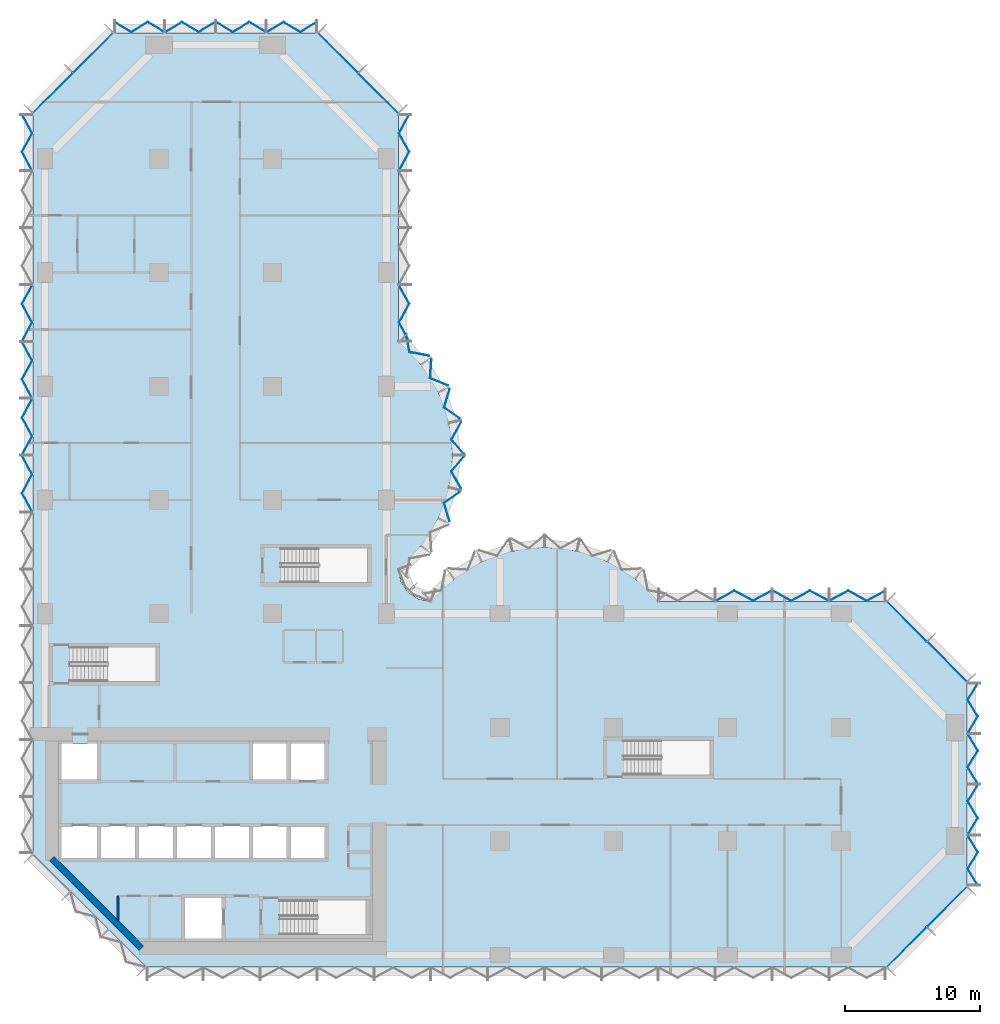
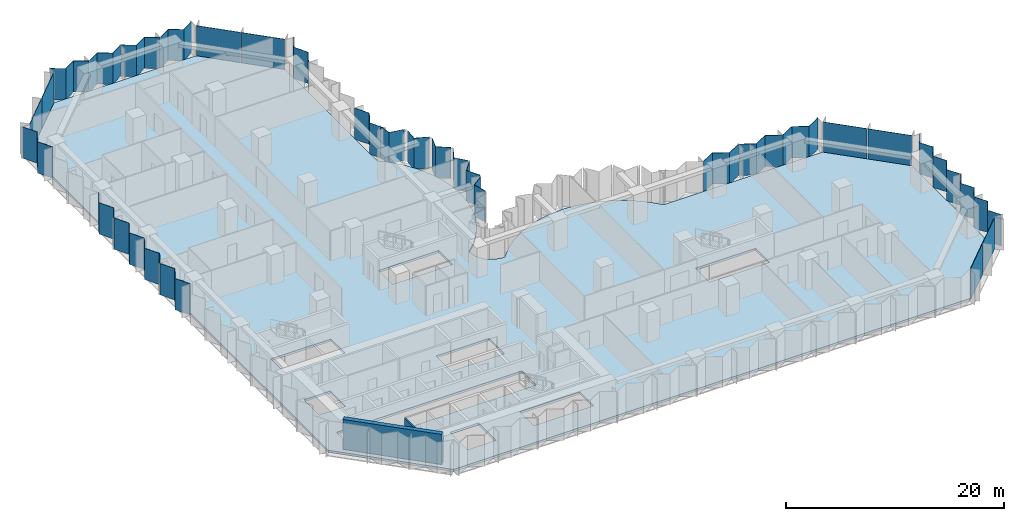
# One storey, part 6 of 15: 32 plates, 2 walls, 1 slab, 10 elements without a shape of their own.
"""IFC4 building model written with IfcOpenShell, lengths in metres."""

import ifcopenshell
import ifcopenshell.guid

model = None  # the IFC model being written
_history = None  # IfcOwnerHistory: only IFC2X3 demands one
_inside = {}  # id of a spatial element -> (the spatial element, [elements in it])
_under = {}  # id of a project, library or spatial element -> (it, [spatial elements below it])
_declared = {}  # id of a project -> (the project, [libraries it declares])
_typed = {}  # id of a type object -> (the type object, [elements of that type])
_made_of = {}  # id of a material, layer set ... -> (it, [elements and type objects made of it])


def new_model(schema):
    """Start an empty IFC model of exactly this schema.

    Asked for "IFC4X3", IfcOpenShell would pick the latest addendum, in which some entities
    have other attributes; the version numbers below select the first issue.
    IFC2X3 requires an IfcOwnerHistory on every rooted entity: one is made here for all.
    """
    global model, _history
    if schema == "IFC4X3":
        model = ifcopenshell.file(schema_version=(4, 3, 0, 0))
    else:
        model = ifcopenshell.file(schema=schema)
    _inside.clear()
    _under.clear()
    _declared.clear()
    _typed.clear()
    _made_of.clear()
    _history = None
    if model.schema == "IFC2X3":
        org = make("IfcOrganization", Name="unknown")
        user = make(
            "IfcPersonAndOrganization",
            ThePerson=make("IfcPerson", FamilyName="unknown"),
            TheOrganization=org,
        )
        app = make(
            "IfcApplication",
            ApplicationDeveloper=org,
            Version="unknown",
            ApplicationFullName="unknown",
            ApplicationIdentifier="unknown",
        )
        _history = make(
            "IfcOwnerHistory",
            OwningUser=user,
            OwningApplication=app,
            ChangeAction="ADDED",
            CreationDate=0,
        )
    return model


def make(cls, **values):
    """One entity of the class cls with the attributes given. An attribute that is None is left unset."""
    return model.create_entity(
        cls, **{name: value for name, value in values.items() if value is not None}
    )


def rooted(cls, **values):
    """An entity with a GlobalId (a new one), such as an element, a storey or a relation."""
    return make(cls, GlobalId=ifcopenshell.guid.new(), OwnerHistory=_history, **values)


def si_unit(unit_type, name, prefix=None):
    """IfcSIUnit, for example si_unit("LENGTHUNIT", "METRE", prefix="MILLI")."""
    return make("IfcSIUnit", UnitType=unit_type, Prefix=prefix, Name=name)


def assignment(units):
    """IfcUnitAssignment: the units of a project."""
    return None if units is None else make("IfcUnitAssignment", Units=units)


def point(xyz):
    """IfcCartesianPoint."""
    return None if xyz is None else make("IfcCartesianPoint", Coordinates=xyz)


def direction(xyz):
    """IfcDirection."""
    return None if xyz is None else make("IfcDirection", DirectionRatios=xyz)


def frame(location, z_axis=None, x_axis=None):
    """IfcAxis2Placement3D, a coordinate frame: its origin and axes. An axis left out is left unset."""
    return make(
        "IfcAxis2Placement3D",
        Location=point(location),
        Axis=direction(z_axis),
        RefDirection=direction(x_axis),
    )


def frame_2d(location, x_axis=None):
    """IfcAxis2Placement2D, a coordinate frame in the plane: its origin and x axis."""
    return make(
        "IfcAxis2Placement2D", Location=point(location), RefDirection=direction(x_axis)
    )


def origin():
    """The frame at (0, 0, 0) with its axes left unset."""
    return frame((0.0, 0.0, 0.0))


def place(relative_to, where):
    """IfcLocalPlacement: puts the frame where relative to a parent placement (None: the world)."""
    return make(
        "IfcLocalPlacement", PlacementRelTo=relative_to, RelativePlacement=where
    )


def context(
    kind, dimensions, precision=None, world=None, true_north=None, identifier=None
):
    """IfcGeometricRepresentationContext, for example the 3D "Model" context."""
    return make(
        "IfcGeometricRepresentationContext",
        ContextIdentifier=identifier,
        ContextType=kind,
        CoordinateSpaceDimension=dimensions,
        Precision=precision,
        WorldCoordinateSystem=world,
        TrueNorth=true_north,
    )


def subcontext(parent, identifier, kind, view, scale=None):
    """IfcGeometricRepresentationSubContext, for example "Body" below "Model"."""
    return make(
        "IfcGeometricRepresentationSubContext",
        ContextIdentifier=identifier,
        ContextType=kind,
        ParentContext=parent,
        TargetScale=scale,
        TargetView=view,
    )


def project(units=None, contexts=None):
    """IfcProject with its units and contexts."""
    return rooted(
        "IfcProject",
        Name="project",
        RepresentationContexts=contexts,
        UnitsInContext=assignment(units),
    )


def spatial(cls, under=None, at=None, **own):
    """A site, building, storey or space (cls), placed at a placement, below another one or the project."""
    s = rooted(cls, ObjectPlacement=at, **own)
    if under is not None:
        _under.setdefault(under.id(), (under, []))[1].append(s)
    return s


def polyline(points):
    """IfcPolyline through the points."""
    return make("IfcPolyline", Points=[point(p) for p in points])


def profile(cls, at=None, kind="AREA", **sizes):
    """A parametric profile (cls). Its sizes go by their IFC names, for example OverallWidth=200.0."""
    return make(cls, ProfileType=kind, Position=at, **sizes)


def rectangle(**sizes):
    """IfcRectangleProfileDef."""
    return profile("IfcRectangleProfileDef", **sizes)


def outline(outer, holes=None, kind="AREA"):
    """IfcArbitraryClosedProfileDef: a profile drawn as a closed curve; with holes, ...WithVoids."""
    if holes is None:
        return make("IfcArbitraryClosedProfileDef", ProfileType=kind, OuterCurve=outer)
    return make(
        "IfcArbitraryProfileDefWithVoids",
        ProfileType=kind,
        OuterCurve=outer,
        InnerCurves=holes,
    )


def extrude(swept, where, along, depth):
    """IfcExtrudedAreaSolid: the profile swept, set in the frame where, extruded along a direction by depth."""
    return make(
        "IfcExtrudedAreaSolid",
        SweptArea=swept,
        Position=where,
        ExtrudedDirection=direction(along),
        Depth=depth,
    )


def shape(context_of_items, identifier, shape_type, items):
    """IfcShapeRepresentation: the items that make up one representation, for example the "Body"."""
    return make(
        "IfcShapeRepresentation",
        ContextOfItems=context_of_items,
        RepresentationIdentifier=identifier,
        RepresentationType=shape_type,
        Items=items,
    )


def material(Name=None, Category=None):
    """IfcMaterial."""
    return make("IfcMaterial", Name=Name, Category=Category)


def layer(
    of_material, thickness, ventilated=None, Name=None, Category=None, Priority=None
):
    """IfcMaterialLayer: one layer of a wall or slab, of a material (None: an air gap)."""
    return make(
        "IfcMaterialLayer",
        Material=of_material,
        LayerThickness=thickness,
        IsVentilated=ventilated,
        Name=Name,
        Category=Category,
        Priority=Priority,
    )


def layer_set(layers, Name=None):
    """IfcMaterialLayerSet."""
    return make("IfcMaterialLayerSet", MaterialLayers=layers, LayerSetName=Name)


def made_of(thing, what):
    """Note that an element or type object is made of a material, layer set ...; save() writes the relation."""
    if what is not None:
        _made_of.setdefault(what.id(), (what, []))[1].append(thing)
    return thing


def type_object(cls, material=None, **own):
    """A type object (cls), such as IfcWallType, which elements share."""
    return made_of(rooted(cls, **own), material)


def element(
    cls,
    number,
    at=None,
    inside=None,
    cuts=None,
    type_object=None,
    material=None,
    context=None,
    identifier="Body",
    shape_type=None,
    held_by="IfcProductDefinitionShape",
    body=None,
    shapes=None,
    **own,
):
    """One element of the class cls, such as IfcWall. Its Tag is "e" and its number.

    at: its placement. inside: the storey or other place that contains it. cuts: it is an
    opening in that element (IfcRelVoidsElement). A single representation is given by context,
    identifier, shape_type and body (its items); several are given by shapes. held_by: the class
    of the entity that holds the representations. save() writes the other relations.
    """
    e = rooted(cls, Tag="e%d" % number, ObjectPlacement=at, **own)
    if body is not None:
        shapes = [shape(context, identifier, shape_type, body)]
    if shapes is not None:
        e.Representation = make(held_by, Representations=shapes)
    if inside is not None:
        _inside.setdefault(inside.id(), (inside, []))[1].append(e)
    if cuts is not None:
        rooted(
            "IfcRelVoidsElement", RelatingBuildingElement=cuts, RelatedOpeningElement=e
        )
    if type_object is not None:
        _typed.setdefault(type_object.id(), (type_object, []))[1].append(e)
    return made_of(e, material)


def aggregate(whole, parts):
    """IfcRelAggregates: a whole, such as a stair, and the parts it consists of."""
    return rooted("IfcRelAggregates", RelatingObject=whole, RelatedObjects=parts)


def save(model, path):
    """Write the relations noted so far, then the file.

    IfcRelAggregates (storeys below a building ...), IfcRelContainedInSpatialStructure (elements
    in a storey), IfcRelDefinesByType, IfcRelAssociatesMaterial and IfcRelDeclares: one each for
    every whole, place, type object, material and project.
    """
    for whole, parts in _under.values():
        aggregate(whole, parts)
    for where, things in _inside.values():
        rooted(
            "IfcRelContainedInSpatialStructure",
            RelatedElements=things,
            RelatingStructure=where,
        )
    for kind, things in _typed.values():
        rooted("IfcRelDefinesByType", RelatedObjects=things, RelatingType=kind)
    for what, things in _made_of.values():
        rooted("IfcRelAssociatesMaterial", RelatedObjects=things, RelatingMaterial=what)
    for by, libraries in _declared.values():
        rooted("IfcRelDeclares", RelatingContext=by, RelatedDefinitions=libraries)
    model.write(path)


model = new_model("IFC4")

# Units and contexts
model_context = context("Model", 3, precision=1e-05, world=origin(), true_north=direction((0.0, 1.0)))
body_context = subcontext(model_context, "Body", "Model", "MODEL_VIEW")
ifc_project = project(units=[si_unit("LENGTHUNIT", "METRE"), si_unit("AREAUNIT", "SQUARE_METRE"), si_unit("VOLUMEUNIT", "CUBIC_METRE"), si_unit("PLANEANGLEUNIT", "RADIAN"), si_unit("MASSUNIT", "GRAM", prefix="KILO")], contexts=[model_context])

# Site, building, storey
site_placement = place(None, origin())
site = spatial("IfcSite", under=ifc_project, at=site_placement, CompositionType="ELEMENT")
building_placement = place(site_placement, origin())
building = spatial("IfcBuilding", under=site, at=building_placement, Name="Brevane Broadcast Tower", CompositionType="ELEMENT")
storey_placement = place(building_placement, frame((0.0, 0.0, 79.699951171875)))
storey = spatial("IfcBuildingStorey", under=building, at=storey_placement, Name="L18", CompositionType="ELEMENT", Elevation=79.699951171875)

# Curtain wall, plates
ifc_material_1 = material(Name="Aluminium 6063-T6 bronze anodised", Category="aluminium")
curtain_wall_type = type_object("IfcCurtainWallType", Name="CW-1 curtain wall", PredefinedType="NOTDEFINED", material=ifc_material_1)
curtain_wall_1_placement = place(storey_placement, origin())
curtain_wall_1 = element("IfcCurtainWall", 1, at=curtain_wall_1_placement, inside=storey, type_object=curtain_wall_type, Name="CW-1 typical tilted unit L18 south-east chamfer", PredefinedType="NOTDEFINED")
ifc_material_2 = material(Name="Laminated glass bronze-tinted", Category="glass")
ifc_layer_1 = layer(ifc_material_2, 0.0400390625)
ifc_layer_set_1 = layer_set([ifc_layer_1], Name="CW tall glass panel 40")
plate_type = type_object("IfcPlateType", Name="CW tall glass panel 40", PredefinedType="CURTAIN_PANEL", material=ifc_layer_set_1)
plate_1_placement = place(storey_placement, frame((0.0, 0.0, -0.14990234375)))
plate_1 = element("IfcPlate", 2, at=plate_1_placement, type_object=plate_type, Name="CW-1 glass panel", PredefinedType="CURTAIN_PANEL", context=body_context, shape_type="SweptSolid", body=[
    extrude(outline(polyline([(62.14599609375, -0.896484375), (65.096435546875, 2.053955078125), (65.124755859375, 2.02587890625), (62.17431640625, -0.9248046875), (62.14599609375, -0.896484375)])), origin(), (0.0, 0.0, 1.0), 3.5),
])
plate_2_placement = place(storey_placement, frame((0.0, 0.0, -0.14990234375)))
plate_2 = element("IfcPlate", 3, at=plate_2_placement, type_object=plate_type, Name="CW-1 glass panel", PredefinedType="CURTAIN_PANEL", context=body_context, shape_type="SweptSolid", body=[
    extrude(outline(polyline([(65.14599609375, 2.103515625), (68.096435546875, 5.053955078125), (68.124755859375, 5.02587890625), (65.17431640625, 2.0751953125), (65.14599609375, 2.103515625)])), origin(), (0.0, 0.0, 1.0), 3.5),
])
aggregate(curtain_wall_1, [plate_1, plate_2])

curtain_wall_2_placement = place(storey_placement, origin())
curtain_wall_2 = element("IfcCurtainWall", 4, at=curtain_wall_2_placement, inside=storey, type_object=curtain_wall_type, Name="CW-1 typical tilted unit L18 east end", PredefinedType="NOTDEFINED")
plate_3_placement = place(storey_placement, frame((0.0, 0.0, -0.14990234375)))
plate_3 = element("IfcPlate", 5, at=plate_3_placement, type_object=plate_type, Name="CW-1 glass panel", PredefinedType="CURTAIN_PANEL", context=body_context, shape_type="SweptSolid", body=[
    extrude(outline(polyline([(68.87109375, 5.135009765625), (68.917724609375, 5.135009765625), (68.17333984375, 6.36181640625), (68.917724609375, 7.58837890625), (68.17333984375, 8.81494140625), (68.126708984375, 8.81494140625), (68.87109375, 7.58837890625), (68.126708984375, 6.36181640625), (68.87109375, 5.135009765625)])), origin(), (0.0, 0.0, 1.0), 3.5),
])
plate_4_placement = place(storey_placement, frame((0.0, 0.0, -0.14990234375)))
plate_4 = element("IfcPlate", 6, at=plate_4_placement, type_object=plate_type, Name="CW-1 glass panel", PredefinedType="CURTAIN_PANEL", context=body_context, shape_type="SweptSolid", body=[
    extrude(outline(polyline([(68.126708984375, 8.885009765625), (68.17333984375, 8.885009765625), (68.917724609375, 10.11181640625), (68.17333984375, 11.33837890625), (68.917724609375, 12.56494140625), (68.87109375, 12.56494140625), (68.126708984375, 11.33837890625), (68.87109375, 10.11181640625), (68.126708984375, 8.885009765625)])), origin(), (0.0, 0.0, 1.0), 3.5),
])
plate_5_placement = place(storey_placement, frame((0.0, 0.0, -0.14990234375)))
plate_5 = element("IfcPlate", 7, at=plate_5_placement, type_object=plate_type, Name="CW-1 glass panel", PredefinedType="CURTAIN_PANEL", context=body_context, shape_type="SweptSolid", body=[
    extrude(outline(polyline([(68.87109375, 12.635009765625), (68.917724609375, 12.635009765625), (68.17333984375, 13.86181640625), (68.917724609375, 15.08837890625), (68.17333984375, 16.31494140625), (68.126708984375, 16.31494140625), (68.87109375, 15.08837890625), (68.126708984375, 13.86181640625), (68.87109375, 12.635009765625)])), origin(), (0.0, 0.0, 1.0), 3.5),
])
plate_6_placement = place(storey_placement, frame((0.0, 0.0, -0.14990234375)))
plate_6 = element("IfcPlate", 8, at=plate_6_placement, type_object=plate_type, Name="CW-1 glass panel", PredefinedType="CURTAIN_PANEL", context=body_context, shape_type="SweptSolid", body=[
    extrude(outline(polyline([(68.126708984375, 16.385009765625), (68.17333984375, 16.385009765625), (68.917724609375, 17.61181640625), (68.17333984375, 18.83837890625), (68.917724609375, 20.06494140625), (68.87109375, 20.06494140625), (68.126708984375, 18.83837890625), (68.87109375, 17.61181640625), (68.126708984375, 16.385009765625)])), origin(), (0.0, 0.0, 1.0), 3.5),
])
aggregate(curtain_wall_2, [plate_3, plate_4, plate_5, plate_6])

curtain_wall_3_placement = place(storey_placement, origin())
curtain_wall_3 = element("IfcCurtainWall", 9, at=curtain_wall_3_placement, inside=storey, type_object=curtain_wall_type, Name="CW-1 typical tilted unit L18 north-east chamfer", PredefinedType="NOTDEFINED")
plate_7_placement = place(storey_placement, frame((0.0, 0.0, -0.14990234375)))
plate_7 = element("IfcPlate", 10, at=plate_7_placement, type_object=plate_type, Name="CW-1 glass panel", PredefinedType="CURTAIN_PANEL", context=body_context, shape_type="SweptSolid", body=[
    extrude(outline(polyline([(68.096435546875, 20.14599609375), (65.14599609375, 23.096435546875), (65.17431640625, 23.124755859375), (68.124755859375, 20.17431640625), (68.096435546875, 20.14599609375)])), origin(), (0.0, 0.0, 1.0), 3.5),
])
plate_8_placement = place(storey_placement, frame((0.0, 0.0, -0.14990234375)))
plate_8 = element("IfcPlate", 11, at=plate_8_placement, type_object=plate_type, Name="CW-1 glass panel", PredefinedType="CURTAIN_PANEL", context=body_context, shape_type="SweptSolid", body=[
    extrude(outline(polyline([(65.096435546875, 23.14599609375), (62.14599609375, 26.096435546875), (62.17431640625, 26.124755859375), (65.124755859375, 23.17431640625), (65.096435546875, 23.14599609375)])), origin(), (0.0, 0.0, 1.0), 3.5),
])
aggregate(curtain_wall_3, [plate_7, plate_8])

curtain_wall_4_placement = place(storey_placement, origin())
curtain_wall_4 = element("IfcCurtainWall", 12, at=curtain_wall_4_placement, inside=storey, type_object=curtain_wall_type, Name="CW-1 typical tilted unit L18 east arm north face", PredefinedType="NOTDEFINED")
plate_9_placement = place(storey_placement, frame((0.0, 0.0, -0.14990234375)))
plate_9 = element("IfcPlate", 13, at=plate_9_placement, type_object=plate_type, Name="CW-1 glass panel", PredefinedType="CURTAIN_PANEL", context=body_context, shape_type="SweptSolid", body=[
    extrude(outline(polyline([(62.06494140625, 26.87158203125), (62.06494140625, 26.9169921875), (60.688232421875, 26.172607421875), (59.311767578125, 26.9169921875), (57.93505859375, 26.172607421875), (57.93505859375, 26.127197265625), (59.311767578125, 26.87158203125), (60.688232421875, 26.127197265625), (62.06494140625, 26.87158203125)])), origin(), (0.0, 0.0, 1.0), 3.5),
])
plate_10_placement = place(storey_placement, frame((0.0, 0.0, -0.14990234375)))
plate_10 = element("IfcPlate", 14, at=plate_10_placement, type_object=plate_type, Name="CW-1 glass panel", PredefinedType="CURTAIN_PANEL", context=body_context, shape_type="SweptSolid", body=[
    extrude(outline(polyline([(57.864990234375, 26.127197265625), (57.864990234375, 26.172607421875), (56.48828125, 26.9169921875), (55.11181640625, 26.172607421875), (53.735107421875, 26.9169921875), (53.735107421875, 26.87158203125), (55.11181640625, 26.127197265625), (56.48828125, 26.87158203125), (57.864990234375, 26.127197265625)])), origin(), (0.0, 0.0, 1.0), 3.5),
])
plate_11_placement = place(storey_placement, frame((0.0, 0.0, -0.14990234375)))
plate_11 = element("IfcPlate", 15, at=plate_11_placement, type_object=plate_type, Name="CW-1 glass panel", PredefinedType="CURTAIN_PANEL", context=body_context, shape_type="SweptSolid", body=[
    extrude(outline(polyline([(53.6650390625, 26.87158203125), (53.6650390625, 26.9169921875), (52.288330078125, 26.172607421875), (50.91162109375, 26.9169921875), (49.534912109375, 26.172607421875), (49.534912109375, 26.127197265625), (50.91162109375, 26.87158203125), (52.288330078125, 26.127197265625), (53.6650390625, 26.87158203125)])), origin(), (0.0, 0.0, 1.0), 3.5),
])
aggregate(curtain_wall_4, [plate_9, plate_10, plate_11])

curtain_wall_5_placement = place(storey_placement, origin())
curtain_wall_5 = element("IfcCurtainWall", 16, at=curtain_wall_5_placement, inside=storey, type_object=curtain_wall_type, Name="CW-1 typical tilted unit L18 north bow", PredefinedType="NOTDEFINED")
plate_12_placement = place(storey_placement, frame((0.0, 0.0, -0.14990234375)))
plate_12 = element("IfcPlate", 17, at=plate_12_placement, type_object=plate_type, Name="CW-1 glass panel", PredefinedType="CURTAIN_PANEL", context=body_context, shape_type="SweptSolid", body=[
    extrude(outline(polyline([(29.851806640625, 32.044677734375), (29.900634765625, 32.021484375), (29.494384765625, 33.364501953125), (30.622802734375, 34.167236328125), (30.57080078125, 34.17919921875), (29.44775390625, 33.380615234375), (29.851806640625, 32.044677734375)])), origin(), (0.0, 0.0, 1.0), 3.5),
])
plate_13_placement = place(storey_placement, frame((0.0, 0.0, -0.14990234375)))
plate_13 = element("IfcPlate", 18, at=plate_13_placement, type_object=plate_type, Name="CW-1 glass panel", PredefinedType="CURTAIN_PANEL", context=body_context, shape_type="SweptSolid", body=[
    extrude(outline(polyline([(30.68798828125, 34.483642578125), (30.740478515625, 34.4716796875), (30.036376953125, 35.730224609375), (30.94921875, 36.7919921875), (30.896484375, 36.7919921875), (29.98779296875, 35.735107421875), (30.68798828125, 34.483642578125)])), origin(), (0.0, 0.0, 1.0), 3.5),
])
plate_14_placement = place(storey_placement, frame((0.0, 0.0, -0.14990234375)))
plate_14 = element("IfcPlate", 19, at=plate_14_placement, type_object=plate_type, Name="CW-1 glass panel", PredefinedType="CURTAIN_PANEL", context=body_context, shape_type="SweptSolid", body=[
    extrude(outline(polyline([(30.896484375, 37.008056640625), (30.94921875, 37.008056640625), (30.036376953125, 38.069580078125), (30.740478515625, 39.328369140625), (30.68798828125, 39.31640625), (29.98779296875, 38.064697265625), (30.896484375, 37.008056640625)])), origin(), (0.0, 0.0, 1.0), 3.5),
])
plate_15_placement = place(storey_placement, frame((0.0, 0.0, -0.14990234375)))
plate_15 = element("IfcPlate", 20, at=plate_15_placement, type_object=plate_type, Name="CW-1 glass panel", PredefinedType="CURTAIN_PANEL", context=body_context, shape_type="SweptSolid", body=[
    extrude(outline(polyline([(30.57080078125, 39.62060546875), (30.622802734375, 39.6328125), (29.494384765625, 40.435546875), (29.900634765625, 41.778564453125), (29.851806640625, 41.75537109375), (29.44775390625, 40.41943359375), (30.57080078125, 39.62060546875)])), origin(), (0.0, 0.0, 1.0), 3.5),
])
plate_16_placement = place(storey_placement, frame((0.0, 0.0, -0.14990234375)))
plate_16 = element("IfcPlate", 21, at=plate_16_placement, type_object=plate_type, Name="CW-1 glass panel", PredefinedType="CURTAIN_PANEL", context=body_context, shape_type="SweptSolid", body=[
    extrude(outline(polyline([(29.712890625, 42.046875), (29.76171875, 42.0703125), (28.462890625, 42.601318359375), (28.551025390625, 43.9833984375), (28.5087890625, 43.950439453125), (28.42138671875, 42.5751953125), (29.712890625, 42.046875)])), origin(), (0.0, 0.0, 1.0), 3.5),
])
plate_17_placement = place(storey_placement, frame((0.0, 0.0, -0.14990234375)))
plate_17 = element("IfcPlate", 22, at=plate_17_placement, type_object=plate_type, Name="CW-1 glass panel", PredefinedType="CURTAIN_PANEL", context=body_context, shape_type="SweptSolid", body=[
    extrude(outline(polyline([(28.34375, 44.231201171875), (28.3857421875, 44.263916015625), (26.9423828125, 44.539306640625), (26.690185546875, 45.82470703125), (26.656005859375, 45.79150390625), (26.908203125, 44.5048828125), (28.34375, 44.231201171875)])), origin(), (0.0, 0.0, 1.0), 3.5),
])
aggregate(curtain_wall_5, [plate_12, plate_13, plate_14, plate_15, plate_16, plate_17])

curtain_wall_6_placement = place(storey_placement, origin())
curtain_wall_6 = element("IfcCurtainWall", 23, at=curtain_wall_6_placement, inside=storey, type_object=curtain_wall_type, Name="CW-1 typical tilted unit L18 north arm east face", PredefinedType="NOTDEFINED")
plate_18_placement = place(storey_placement, frame((0.0, 0.0, -0.14990234375)))
plate_18 = element("IfcPlate", 24, at=plate_18_placement, type_object=plate_type, Name="CW-1 glass panel", PredefinedType="CURTAIN_PANEL", context=body_context, shape_type="SweptSolid", body=[
    extrude(outline(polyline([(26.87158203125, 45.3349609375), (26.9169921875, 45.3349609375), (26.172607421875, 46.711669921875), (26.9169921875, 48.08837890625), (26.172607421875, 49.465087890625), (26.127197265625, 49.465087890625), (26.87158203125, 48.08837890625), (26.127197265625, 46.711669921875), (26.87158203125, 45.3349609375)])), origin(), (0.0, 0.0, 1.0), 3.5),
])
plate_19_placement = place(storey_placement, frame((0.0, 0.0, -0.14990234375)))
plate_19 = element("IfcPlate", 25, at=plate_19_placement, type_object=plate_type, Name="CW-1 glass panel", PredefinedType="CURTAIN_PANEL", context=body_context, shape_type="SweptSolid", body=[
    extrude(outline(polyline([(26.127197265625, 57.93505859375), (26.172607421875, 57.93505859375), (26.9169921875, 59.311767578125), (26.172607421875, 60.688232421875), (26.9169921875, 62.06494140625), (26.87158203125, 62.06494140625), (26.127197265625, 60.688232421875), (26.87158203125, 59.311767578125), (26.127197265625, 57.93505859375)])), origin(), (0.0, 0.0, 1.0), 3.5),
])
aggregate(curtain_wall_6, [plate_18, plate_19])

curtain_wall_7_placement = place(storey_placement, origin())
curtain_wall_7 = element("IfcCurtainWall", 26, at=curtain_wall_7_placement, inside=storey, type_object=curtain_wall_type, Name="CW-1 typical tilted unit L18 north arm north-east chamfer", PredefinedType="NOTDEFINED")
plate_20_placement = place(storey_placement, frame((0.0, 0.0, -0.14990234375)))
plate_20 = element("IfcPlate", 27, at=plate_20_placement, type_object=plate_type, Name="CW-1 glass panel", PredefinedType="CURTAIN_PANEL", context=body_context, shape_type="SweptSolid", body=[
    extrude(outline(polyline([(26.096435546875, 62.14599609375), (23.14599609375, 65.096435546875), (23.17431640625, 65.124755859375), (26.124755859375, 62.17431640625), (26.096435546875, 62.14599609375)])), origin(), (0.0, 0.0, 1.0), 3.5),
])
plate_21_placement = place(storey_placement, frame((0.0, 0.0, -0.14990234375)))
plate_21 = element("IfcPlate", 28, at=plate_21_placement, type_object=plate_type, Name="CW-1 glass panel", PredefinedType="CURTAIN_PANEL", context=body_context, shape_type="SweptSolid", body=[
    extrude(outline(polyline([(23.096435546875, 65.14599609375), (20.14599609375, 68.096435546875), (20.17431640625, 68.124755859375), (23.124755859375, 65.17431640625), (23.096435546875, 65.14599609375)])), origin(), (0.0, 0.0, 1.0), 3.5),
])
aggregate(curtain_wall_7, [plate_20, plate_21])

curtain_wall_8_placement = place(storey_placement, origin())
curtain_wall_8 = element("IfcCurtainWall", 29, at=curtain_wall_8_placement, inside=storey, type_object=curtain_wall_type, Name="CW-1 typical tilted unit L18 north end", PredefinedType="NOTDEFINED")
plate_22_placement = place(storey_placement, frame((0.0, 0.0, -0.14990234375)))
plate_22 = element("IfcPlate", 30, at=plate_22_placement, type_object=plate_type, Name="CW-1 glass panel", PredefinedType="CURTAIN_PANEL", context=body_context, shape_type="SweptSolid", body=[
    extrude(outline(polyline([(20.06494140625, 68.87109375), (20.06494140625, 68.917724609375), (18.83837890625, 68.17333984375), (17.61181640625, 68.917724609375), (16.385009765625, 68.17333984375), (16.385009765625, 68.126708984375), (17.61181640625, 68.87109375), (18.83837890625, 68.126708984375), (20.06494140625, 68.87109375)])), origin(), (0.0, 0.0, 1.0), 3.5),
])
plate_23_placement = place(storey_placement, frame((0.0, 0.0, -0.14990234375)))
plate_23 = element("IfcPlate", 31, at=plate_23_placement, type_object=plate_type, Name="CW-1 glass panel", PredefinedType="CURTAIN_PANEL", context=body_context, shape_type="SweptSolid", body=[
    extrude(outline(polyline([(16.31494140625, 68.126708984375), (16.31494140625, 68.17333984375), (15.08837890625, 68.917724609375), (13.86181640625, 68.17333984375), (12.635009765625, 68.917724609375), (12.635009765625, 68.87109375), (13.86181640625, 68.126708984375), (15.08837890625, 68.87109375), (16.31494140625, 68.126708984375)])), origin(), (0.0, 0.0, 1.0), 3.5),
])
plate_24_placement = place(storey_placement, frame((0.0, 0.0, -0.14990234375)))
plate_24 = element("IfcPlate", 32, at=plate_24_placement, type_object=plate_type, Name="CW-1 glass panel", PredefinedType="CURTAIN_PANEL", context=body_context, shape_type="SweptSolid", body=[
    extrude(outline(polyline([(12.56494140625, 68.87109375), (12.56494140625, 68.917724609375), (11.33837890625, 68.17333984375), (10.11181640625, 68.917724609375), (8.885009765625, 68.17333984375), (8.885009765625, 68.126708984375), (10.11181640625, 68.87109375), (11.33837890625, 68.126708984375), (12.56494140625, 68.87109375)])), origin(), (0.0, 0.0, 1.0), 3.5),
])
plate_25_placement = place(storey_placement, frame((0.0, 0.0, -0.14990234375)))
plate_25 = element("IfcPlate", 33, at=plate_25_placement, type_object=plate_type, Name="CW-1 glass panel", PredefinedType="CURTAIN_PANEL", context=body_context, shape_type="SweptSolid", body=[
    extrude(outline(polyline([(8.81494140625, 68.126708984375), (8.81494140625, 68.17333984375), (7.58837890625, 68.917724609375), (6.36181640625, 68.17333984375), (5.135009765625, 68.917724609375), (5.135009765625, 68.87109375), (6.36181640625, 68.126708984375), (7.58837890625, 68.87109375), (8.81494140625, 68.126708984375)])), origin(), (0.0, 0.0, 1.0), 3.5),
])
aggregate(curtain_wall_8, [plate_22, plate_23, plate_24, plate_25])

curtain_wall_9_placement = place(storey_placement, origin())
curtain_wall_9 = element("IfcCurtainWall", 34, at=curtain_wall_9_placement, inside=storey, type_object=curtain_wall_type, Name="CW-1 typical tilted unit L18 north-west chamfer", PredefinedType="NOTDEFINED")
plate_26_placement = place(storey_placement, frame((0.0, 0.0, -0.14990234375)))
plate_26 = element("IfcPlate", 35, at=plate_26_placement, type_object=plate_type, Name="CW-1 glass panel", PredefinedType="CURTAIN_PANEL", context=body_context, shape_type="SweptSolid", body=[
    extrude(outline(polyline([(5.053955078125, 68.096435546875), (2.103515625, 65.14599609375), (2.0751953125, 65.17431640625), (5.02587890625, 68.124755859375), (5.053955078125, 68.096435546875)])), origin(), (0.0, 0.0, 1.0), 3.5),
])
plate_27_placement = place(storey_placement, frame((0.0, 0.0, -0.14990234375)))
plate_27 = element("IfcPlate", 36, at=plate_27_placement, type_object=plate_type, Name="CW-1 glass panel", PredefinedType="CURTAIN_PANEL", context=body_context, shape_type="SweptSolid", body=[
    extrude(outline(polyline([(2.053955078125, 65.096435546875), (-0.896484375, 62.14599609375), (-0.9248046875, 62.17431640625), (2.02587890625, 65.124755859375), (2.053955078125, 65.096435546875)])), origin(), (0.0, 0.0, 1.0), 3.5),
])
aggregate(curtain_wall_9, [plate_26, plate_27])

curtain_wall_10_placement = place(storey_placement, origin())
curtain_wall_10 = element("IfcCurtainWall", 37, at=curtain_wall_10_placement, inside=storey, type_object=curtain_wall_type, Name="CW-1 typical tilted unit L18 west face", PredefinedType="NOTDEFINED")
plate_28_placement = place(storey_placement, frame((0.0, 0.0, -0.14990234375)))
plate_28 = element("IfcPlate", 38, at=plate_28_placement, type_object=plate_type, Name="CW-1 glass panel", PredefinedType="CURTAIN_PANEL", context=body_context, shape_type="SweptSolid", body=[
    extrude(outline(polyline([(-1.671630859375, 62.06494140625), (-1.717041015625, 62.06494140625), (-0.97265625, 60.688232421875), (-1.717041015625, 59.311767578125), (-0.97265625, 57.93505859375), (-0.92724609375, 57.93505859375), (-1.671630859375, 59.311767578125), (-0.92724609375, 60.688232421875), (-1.671630859375, 62.06494140625)])), origin(), (0.0, 0.0, 1.0), 3.5),
])
plate_29_placement = place(storey_placement, frame((0.0, 0.0, -0.14990234375)))
plate_29 = element("IfcPlate", 39, at=plate_29_placement, type_object=plate_type, Name="CW-1 glass panel", PredefinedType="CURTAIN_PANEL", context=body_context, shape_type="SweptSolid", body=[
    extrude(outline(polyline([(-0.92724609375, 49.465087890625), (-0.97265625, 49.465087890625), (-1.717041015625, 48.08837890625), (-0.97265625, 46.711669921875), (-1.717041015625, 45.3349609375), (-1.671630859375, 45.3349609375), (-0.92724609375, 46.711669921875), (-1.671630859375, 48.08837890625), (-0.92724609375, 49.465087890625)])), origin(), (0.0, 0.0, 1.0), 3.5),
])
plate_30_placement = place(storey_placement, frame((0.0, 0.0, -0.14990234375)))
plate_30 = element("IfcPlate", 40, at=plate_30_placement, type_object=plate_type, Name="CW-1 glass panel", PredefinedType="CURTAIN_PANEL", context=body_context, shape_type="SweptSolid", body=[
    extrude(outline(polyline([(-1.671630859375, 45.264892578125), (-1.717041015625, 45.264892578125), (-0.97265625, 43.88818359375), (-1.717041015625, 42.51171875), (-0.97265625, 41.135009765625), (-0.92724609375, 41.135009765625), (-1.671630859375, 42.51171875), (-0.92724609375, 43.88818359375), (-1.671630859375, 45.264892578125)])), origin(), (0.0, 0.0, 1.0), 3.5),
])
plate_31_placement = place(storey_placement, frame((0.0, 0.0, -0.14990234375)))
plate_31 = element("IfcPlate", 41, at=plate_31_placement, type_object=plate_type, Name="CW-1 glass panel", PredefinedType="CURTAIN_PANEL", context=body_context, shape_type="SweptSolid", body=[
    extrude(outline(polyline([(-0.92724609375, 41.06494140625), (-0.97265625, 41.06494140625), (-1.717041015625, 39.688232421875), (-0.97265625, 38.311767578125), (-1.717041015625, 36.93505859375), (-1.671630859375, 36.93505859375), (-0.92724609375, 38.311767578125), (-1.671630859375, 39.688232421875), (-0.92724609375, 41.06494140625)])), origin(), (0.0, 0.0, 1.0), 3.5),
])
plate_32_placement = place(storey_placement, frame((0.0, 0.0, -0.14990234375)))
plate_32 = element("IfcPlate", 42, at=plate_32_placement, type_object=plate_type, Name="CW-1 glass panel", PredefinedType="CURTAIN_PANEL", context=body_context, shape_type="SweptSolid", body=[
    extrude(outline(polyline([(-1.671630859375, 36.864990234375), (-1.717041015625, 36.864990234375), (-0.97265625, 35.48828125), (-1.717041015625, 34.11181640625), (-0.97265625, 32.735107421875), (-0.92724609375, 32.735107421875), (-1.671630859375, 34.11181640625), (-0.92724609375, 35.48828125), (-1.671630859375, 36.864990234375)])), origin(), (0.0, 0.0, 1.0), 3.5),
])
aggregate(curtain_wall_10, [plate_28, plate_29, plate_30, plate_31, plate_32])

# Slab
ifc_material_3 = material(Name="Concrete C40/50", Category="concrete")
ifc_layer_2 = layer(ifc_material_3, 0.25)
ifc_layer_set_2 = layer_set([ifc_layer_2], Name="RC FLOOR SLAB 250 C40/50")
slab_type = type_object("IfcSlabType", Name="RC FLOOR SLAB 250 C40/50", PredefinedType="FLOOR", material=ifc_layer_set_2)
slab_placement = place(storey_placement, frame((0.0, 0.0, -0.25)))
element("IfcSlab", 43, at=slab_placement, inside=storey, type_object=slab_type, Name="SL250 L18", PredefinedType="FLOOR", context=body_context, shape_type="SweptSolid", body=[
    extrude(outline(polyline([(-0.89990234375, 7.5), (-0.89990234375, 62.10009765625), (5.10009765625, 68.10009765625), (20.10009765625, 68.10009765625), (26.10009765625, 62.10009765625), (26.10009765625, 45.300048828125), (27.10888671875, 44.36865234375), (27.99169921875, 43.317138671875), (28.734130859375, 42.162353515625), (29.324462890625, 40.922607421875), (29.7529296875, 39.618408203125), (30.012939453125, 38.270263671875), (30.10009765625, 36.89990234375), (30.012939453125, 35.52978515625), (29.7529296875, 34.181640625), (29.324462890625, 32.877197265625), (28.734130859375, 31.6376953125), (27.99169921875, 30.48291015625), (27.10888671875, 29.431396484375), (26.10009765625, 28.5), (26.28271484375, 27.58154296875), (26.802978515625, 26.802978515625), (27.58154296875, 26.28271484375), (28.5, 26.10009765625), (29.431396484375, 27.10888671875), (30.48291015625, 27.99169921875), (31.6376953125, 28.734130859375), (32.877197265625, 29.324462890625), (34.181640625, 29.7529296875), (35.52978515625, 30.012939453125), (36.89990234375, 30.10009765625), (38.270263671875, 30.012939453125), (39.618408203125, 29.7529296875), (40.922607421875, 29.324462890625), (42.162353515625, 28.734130859375), (43.317138671875, 27.99169921875), (44.36865234375, 27.10888671875), (45.300048828125, 26.10009765625), (62.10009765625, 26.10009765625), (68.10009765625, 20.10009765625), (68.10009765625, 5.10009765625), (62.10009765625, -0.89990234375), (7.5, -0.89990234375), (-0.89990234375, 7.5)]), holes=[polyline([(13.199951171875, 4.39990234375), (10.199951171875, 4.39990234375), (10.199951171875, 1.199951171875), (13.199951171875, 1.199951171875), (13.199951171875, 4.39990234375)]), polyline([(4.0, 9.60009765625), (1.199951171875, 9.60009765625), (1.199951171875, 7.0), (4.0, 7.0), (6.800048828125, 7.0), (9.60009765625, 7.0), (12.39990234375, 7.0), (15.199951171875, 7.0), (18.0, 7.0), (20.800048828125, 7.0), (20.800048828125, 9.60009765625), (18.0, 9.60009765625), (15.199951171875, 9.60009765625), (12.39990234375, 9.60009765625), (9.60009765625, 9.60009765625), (6.800048828125, 9.60009765625), (4.0, 9.60009765625)]), polyline([(4.0, 12.800048828125), (4.0, 15.60009765625), (1.199951171875, 15.60009765625), (1.199951171875, 12.800048828125), (4.0, 12.800048828125)]), polyline([(8.199951171875, 22.75), (1.860107421875, 22.75), (1.860107421875, 20.199951171875), (8.199951171875, 20.199951171875), (8.199951171875, 22.75)]), polyline([(23.699951171875, 4.050048828125), (17.360107421875, 4.050048828125), (17.360107421875, 1.5), (23.699951171875, 1.5), (23.699951171875, 4.050048828125)]), polyline([(18.0, 15.60009765625), (15.199951171875, 15.60009765625), (15.199951171875, 12.800048828125), (18.0, 12.800048828125), (20.800048828125, 12.800048828125), (20.800048828125, 15.60009765625), (18.0, 15.60009765625)]), polyline([(49.10009765625, 15.85009765625), (42.760009765625, 15.85009765625), (42.760009765625, 13.300048828125), (49.10009765625, 13.300048828125), (49.10009765625, 15.85009765625)]), polyline([(23.800048828125, 30.050048828125), (17.4599609375, 30.050048828125), (17.4599609375, 27.5), (23.800048828125, 27.5), (23.800048828125, 30.050048828125)])]), origin(), (0.0, 0.0, 1.0), 0.25),
])

# Walls
ifc_material_4 = material(Name="Gypsum board on steel studs", Category="steel")
ifc_layer_3 = layer(ifc_material_4, 0.14990234375)
ifc_layer_set_3 = layer_set([ifc_layer_3], Name="Core fire partition 150 mm")
wall_type_1 = type_object("IfcWallType", Name="Core fire partition 150 mm", PredefinedType="PARTITIONING", material=ifc_layer_set_3)
wall_1_placement = place(storey_placement, frame((5.39990234375, 2.553466796875, 0.0), z_axis=(0.0, 0.0, 1.0), x_axis=(0.0, 1.0, 0.0)))
element("IfcWall", 44, at=wall_1_placement, inside=storey, type_object=wall_type_1, Name="L18 partition wall P10", PredefinedType="PARTITIONING", context=body_context, shape_type="SweptSolid", body=[
    extrude(rectangle(XDim=1.796630859375, YDim=0.14990234375, at=frame_2d((0.8984375, 0.0))), origin(), (0.0, 0.0, 1.0), 3.35009765625),
])
ifc_material_5 = material(Name="Concrete C80/95", Category="concrete")
ifc_layer_4 = layer(ifc_material_5, 0.449951171875)
ifc_layer_set_4 = layer_set([ifc_layer_4], Name="Core wall 450 mm C80/95")
wall_type_2 = type_object("IfcWallType", Name="Core wall 450 mm C80/95", PredefinedType="SHEAR", material=ifc_layer_set_4)
wall_2_placement = place(storey_placement, frame((0.5, 7.1181640625, 0.0), z_axis=(0.0, 0.0, 1.0), x_axis=(0.707106781187, -0.707106781187, 0.0)))
element("IfcWall", 45, at=wall_2_placement, inside=storey, type_object=wall_type_2, Name="L18 outer wall WC", PredefinedType="SHEAR", context=body_context, shape_type="SweptSolid", body=[
    extrude(rectangle(XDim=9.359619140625, YDim=0.449951171875, at=frame_2d((4.6796875, 0.0))), origin(), (0.0, 0.0, 1.0), 3.35009765625),
])

save(model, "model.ifc")
